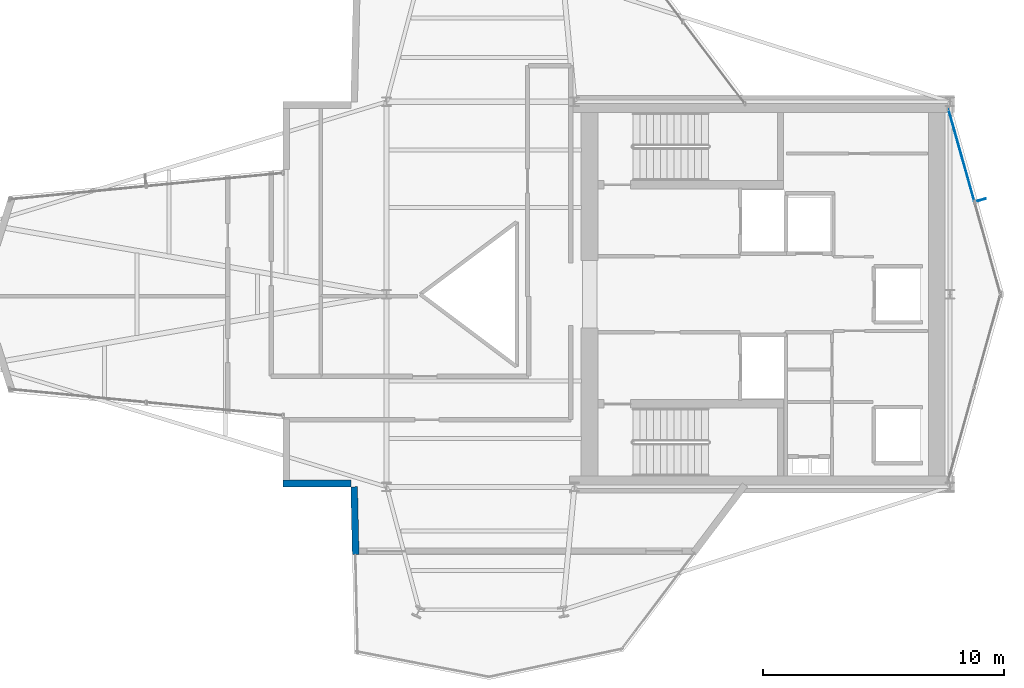
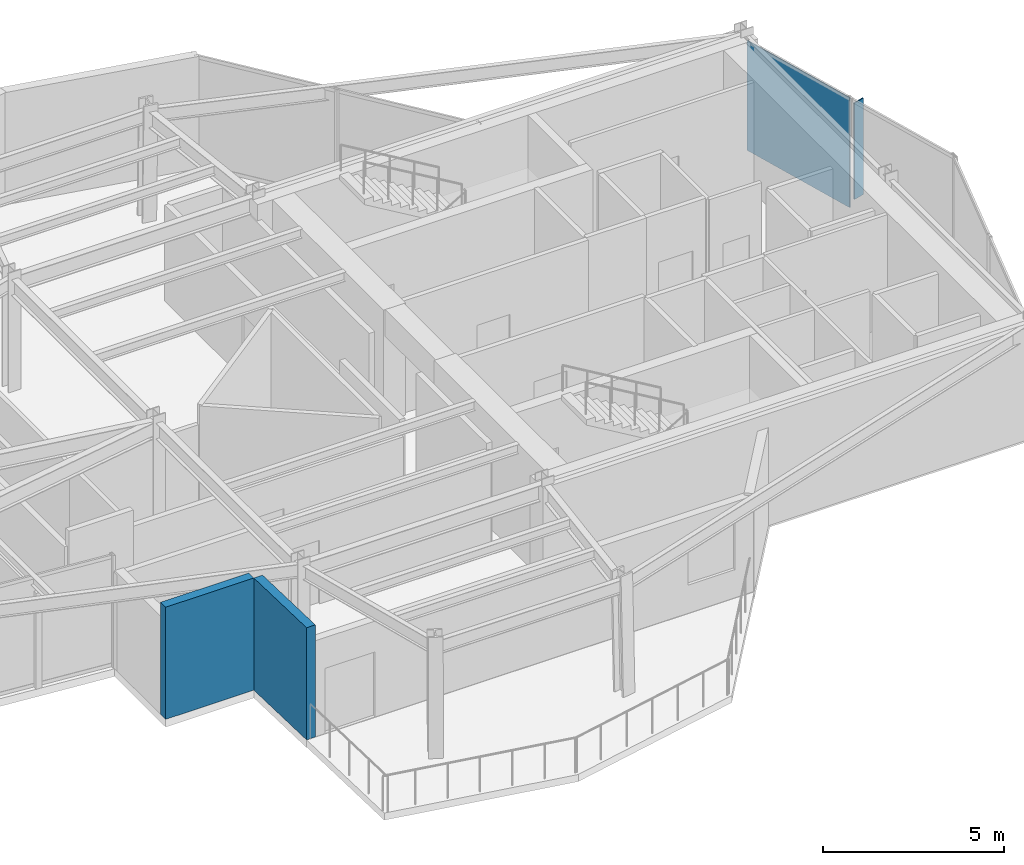
# One storey, part 17 of 21: 2 plates, 2 walls, 1 element without a shape of its own.
"""IFC4 building model written with IfcOpenShell, lengths in metres."""

import ifcopenshell
import ifcopenshell.guid

model = None  # the IFC model being written
_history = None  # IfcOwnerHistory: only IFC2X3 demands one
_inside = {}  # id of a spatial element -> (the spatial element, [elements in it])
_under = {}  # id of a project, library or spatial element -> (it, [spatial elements below it])
_declared = {}  # id of a project -> (the project, [libraries it declares])
_typed = {}  # id of a type object -> (the type object, [elements of that type])
_made_of = {}  # id of a material, layer set ... -> (it, [elements and type objects made of it])


def new_model(schema):
    """Start an empty IFC model of exactly this schema.

    Asked for "IFC4X3", IfcOpenShell would pick the latest addendum, in which some entities
    have other attributes; the version numbers below select the first issue.
    IFC2X3 requires an IfcOwnerHistory on every rooted entity: one is made here for all.
    """
    global model, _history
    if schema == "IFC4X3":
        model = ifcopenshell.file(schema_version=(4, 3, 0, 0))
    else:
        model = ifcopenshell.file(schema=schema)
    _inside.clear()
    _under.clear()
    _declared.clear()
    _typed.clear()
    _made_of.clear()
    _history = None
    if model.schema == "IFC2X3":
        org = make("IfcOrganization", Name="unknown")
        user = make(
            "IfcPersonAndOrganization",
            ThePerson=make("IfcPerson", FamilyName="unknown"),
            TheOrganization=org,
        )
        app = make(
            "IfcApplication",
            ApplicationDeveloper=org,
            Version="unknown",
            ApplicationFullName="unknown",
            ApplicationIdentifier="unknown",
        )
        _history = make(
            "IfcOwnerHistory",
            OwningUser=user,
            OwningApplication=app,
            ChangeAction="ADDED",
            CreationDate=0,
        )
    return model


def make(cls, **values):
    """One entity of the class cls with the attributes given. An attribute that is None is left unset."""
    return model.create_entity(
        cls, **{name: value for name, value in values.items() if value is not None}
    )


def rooted(cls, **values):
    """An entity with a GlobalId (a new one), such as an element, a storey or a relation."""
    return make(cls, GlobalId=ifcopenshell.guid.new(), OwnerHistory=_history, **values)


def si_unit(unit_type, name, prefix=None):
    """IfcSIUnit, for example si_unit("LENGTHUNIT", "METRE", prefix="MILLI")."""
    return make("IfcSIUnit", UnitType=unit_type, Prefix=prefix, Name=name)


def assignment(units):
    """IfcUnitAssignment: the units of a project."""
    return None if units is None else make("IfcUnitAssignment", Units=units)


def point(xyz):
    """IfcCartesianPoint."""
    return None if xyz is None else make("IfcCartesianPoint", Coordinates=xyz)


def direction(xyz):
    """IfcDirection."""
    return None if xyz is None else make("IfcDirection", DirectionRatios=xyz)


def frame(location, z_axis=None, x_axis=None):
    """IfcAxis2Placement3D, a coordinate frame: its origin and axes. An axis left out is left unset."""
    return make(
        "IfcAxis2Placement3D",
        Location=point(location),
        Axis=direction(z_axis),
        RefDirection=direction(x_axis),
    )


def frame_2d(location, x_axis=None):
    """IfcAxis2Placement2D, a coordinate frame in the plane: its origin and x axis."""
    return make(
        "IfcAxis2Placement2D", Location=point(location), RefDirection=direction(x_axis)
    )


def origin():
    """The frame at (0, 0, 0) with its axes left unset."""
    return frame((0.0, 0.0, 0.0))


def origin_2d():
    """The frame at (0, 0) in the plane with its x axis left unset."""
    return frame_2d((0.0, 0.0))


def place(relative_to, where):
    """IfcLocalPlacement: puts the frame where relative to a parent placement (None: the world)."""
    return make(
        "IfcLocalPlacement", PlacementRelTo=relative_to, RelativePlacement=where
    )


def context(
    kind, dimensions, precision=None, world=None, true_north=None, identifier=None
):
    """IfcGeometricRepresentationContext, for example the 3D "Model" context."""
    return make(
        "IfcGeometricRepresentationContext",
        ContextIdentifier=identifier,
        ContextType=kind,
        CoordinateSpaceDimension=dimensions,
        Precision=precision,
        WorldCoordinateSystem=world,
        TrueNorth=true_north,
    )


def subcontext(parent, identifier, kind, view, scale=None):
    """IfcGeometricRepresentationSubContext, for example "Body" below "Model"."""
    return make(
        "IfcGeometricRepresentationSubContext",
        ContextIdentifier=identifier,
        ContextType=kind,
        ParentContext=parent,
        TargetScale=scale,
        TargetView=view,
    )


def project(units=None, contexts=None):
    """IfcProject with its units and contexts."""
    return rooted(
        "IfcProject",
        Name="project",
        RepresentationContexts=contexts,
        UnitsInContext=assignment(units),
    )


def spatial(cls, under=None, at=None, **own):
    """A site, building, storey or space (cls), placed at a placement, below another one or the project."""
    s = rooted(cls, ObjectPlacement=at, **own)
    if under is not None:
        _under.setdefault(under.id(), (under, []))[1].append(s)
    return s


def profile(cls, at=None, kind="AREA", **sizes):
    """A parametric profile (cls). Its sizes go by their IFC names, for example OverallWidth=200.0."""
    return make(cls, ProfileType=kind, Position=at, **sizes)


def rectangle(**sizes):
    """IfcRectangleProfileDef."""
    return profile("IfcRectangleProfileDef", **sizes)


def extrude(swept, where, along, depth):
    """IfcExtrudedAreaSolid: the profile swept, set in the frame where, extruded along a direction by depth."""
    return make(
        "IfcExtrudedAreaSolid",
        SweptArea=swept,
        Position=where,
        ExtrudedDirection=direction(along),
        Depth=depth,
    )


def shape(context_of_items, identifier, shape_type, items):
    """IfcShapeRepresentation: the items that make up one representation, for example the "Body"."""
    return make(
        "IfcShapeRepresentation",
        ContextOfItems=context_of_items,
        RepresentationIdentifier=identifier,
        RepresentationType=shape_type,
        Items=items,
    )


def material(Name=None, Category=None):
    """IfcMaterial."""
    return make("IfcMaterial", Name=Name, Category=Category)


def layer(
    of_material, thickness, ventilated=None, Name=None, Category=None, Priority=None
):
    """IfcMaterialLayer: one layer of a wall or slab, of a material (None: an air gap)."""
    return make(
        "IfcMaterialLayer",
        Material=of_material,
        LayerThickness=thickness,
        IsVentilated=ventilated,
        Name=Name,
        Category=Category,
        Priority=Priority,
    )


def layer_set(layers, Name=None):
    """IfcMaterialLayerSet."""
    return make("IfcMaterialLayerSet", MaterialLayers=layers, LayerSetName=Name)


def made_of(thing, what):
    """Note that an element or type object is made of a material, layer set ...; save() writes the relation."""
    if what is not None:
        _made_of.setdefault(what.id(), (what, []))[1].append(thing)
    return thing


def type_object(cls, material=None, **own):
    """A type object (cls), such as IfcWallType, which elements share."""
    return made_of(rooted(cls, **own), material)


def element(
    cls,
    number,
    at=None,
    inside=None,
    cuts=None,
    type_object=None,
    material=None,
    context=None,
    identifier="Body",
    shape_type=None,
    held_by="IfcProductDefinitionShape",
    body=None,
    shapes=None,
    **own,
):
    """One element of the class cls, such as IfcWall. Its Tag is "e" and its number.

    at: its placement. inside: the storey or other place that contains it. cuts: it is an
    opening in that element (IfcRelVoidsElement). A single representation is given by context,
    identifier, shape_type and body (its items); several are given by shapes. held_by: the class
    of the entity that holds the representations. save() writes the other relations.
    """
    e = rooted(cls, Tag="e%d" % number, ObjectPlacement=at, **own)
    if body is not None:
        shapes = [shape(context, identifier, shape_type, body)]
    if shapes is not None:
        e.Representation = make(held_by, Representations=shapes)
    if inside is not None:
        _inside.setdefault(inside.id(), (inside, []))[1].append(e)
    if cuts is not None:
        rooted(
            "IfcRelVoidsElement", RelatingBuildingElement=cuts, RelatedOpeningElement=e
        )
    if type_object is not None:
        _typed.setdefault(type_object.id(), (type_object, []))[1].append(e)
    return made_of(e, material)


def aggregate(whole, parts):
    """IfcRelAggregates: a whole, such as a stair, and the parts it consists of."""
    return rooted("IfcRelAggregates", RelatingObject=whole, RelatedObjects=parts)


def save(model, path):
    """Write the relations noted so far, then the file.

    IfcRelAggregates (storeys below a building ...), IfcRelContainedInSpatialStructure (elements
    in a storey), IfcRelDefinesByType, IfcRelAssociatesMaterial and IfcRelDeclares: one each for
    every whole, place, type object, material and project.
    """
    for whole, parts in _under.values():
        aggregate(whole, parts)
    for where, things in _inside.values():
        rooted(
            "IfcRelContainedInSpatialStructure",
            RelatedElements=things,
            RelatingStructure=where,
        )
    for kind, things in _typed.values():
        rooted("IfcRelDefinesByType", RelatedObjects=things, RelatingType=kind)
    for what, things in _made_of.values():
        rooted("IfcRelAssociatesMaterial", RelatedObjects=things, RelatingMaterial=what)
    for by, libraries in _declared.values():
        rooted("IfcRelDeclares", RelatingContext=by, RelatedDefinitions=libraries)
    model.write(path)


model = new_model("IFC4")

# Units and contexts
model_context = context("Model", 3, precision=1e-05, world=origin(), true_north=direction((0.0, 1.0)))
body_context = subcontext(model_context, "Body", "Model", "MODEL_VIEW")
ifc_project = project(units=[si_unit("LENGTHUNIT", "METRE"), si_unit("AREAUNIT", "SQUARE_METRE"), si_unit("VOLUMEUNIT", "CUBIC_METRE"), si_unit("PLANEANGLEUNIT", "RADIAN"), si_unit("MASSUNIT", "GRAM", prefix="KILO")], contexts=[model_context])

# Site, building, storey
site_placement = place(None, origin())
site = spatial("IfcSite", under=ifc_project, at=site_placement, CompositionType="ELEMENT")
building_placement = place(site_placement, origin())
building = spatial("IfcBuilding", under=site, at=building_placement, Name="Veymaron Broadcast Tower", CompositionType="ELEMENT")
storey_placement = place(building_placement, frame((0.0, 0.0, 240.449951171875)))
storey = spatial("IfcBuildingStorey", under=building, at=storey_placement, Name="L56", CompositionType="ELEMENT", Elevation=240.449951171875)

# Curtain wall, plate
ifc_material_1 = material(Name="Anodised aluminium AA 6063-T6 and laminated low-E dark glass", Category="aluminium")
ifc_layer_1 = layer(ifc_material_1, 0.179931640625)
ifc_layer_set_1 = layer_set([ifc_layer_1], Name="Anodised aluminium AA 6063-T6 and laminated low-E dark glass")
curtain_wall_type = type_object("IfcCurtainWallType", Name="CW-SYS-05", PredefinedType="NOTDEFINED", material=ifc_layer_set_1)
curtain_wall_placement = place(storey_placement, origin())
curtain_wall = element("IfcCurtainWall", 1, at=curtain_wall_placement, inside=storey, type_object=curtain_wall_type, Name="L56 dark-glass curtain wall CW-L56-E5-1", PredefinedType="NOTDEFINED")
ifc_material_2 = material(Name="Double-silver solar-control dark glass IGU 32 mm", Category="glass")
ifc_layer_2 = layer(ifc_material_2, 0.031982421875)
ifc_layer_set_2 = layer_set([ifc_layer_2], Name="Double-silver solar-control dark glass IGU 32 mm")
plate_type_1 = type_object("IfcPlateType", Name="CW-PNL-02", PredefinedType="CURTAIN_PANEL", material=ifc_layer_set_2)
plate_1_placement = place(storey_placement, frame((55.077880859375, 29.7802734375, 0.0400390625), z_axis=(0.0, 0.0, 1.0), x_axis=(-0.270415617443, 0.962743680241, 0.0)))
plate_1 = element("IfcPlate", 2, at=plate_1_placement, type_object=plate_type_1, Name="CW-L56-E5-1 unitised curtain panel 1", PredefinedType="CURTAIN_PANEL", context=body_context, shape_type="SweptSolid", body=[
    extrude(rectangle(XDim=3.968994140625, YDim=0.031982421875, at=origin_2d()), origin(), (0.0, 0.0, 1.0), 3.7099609375),
])
aggregate(curtain_wall, [plate_1])

# Plate
ifc_material_3 = material(Name="Dark-anodised aluminium AA 6061-T6", Category="aluminium")
ifc_layer_3 = layer(ifc_material_3, 0.030029296875)
ifc_layer_set_3 = layer_set([ifc_layer_3], Name="Dark-anodised aluminium AA 6061-T6")
plate_type_2 = type_object("IfcPlateType", Name="FIN-CHEV-02", PredefinedType="USERDEFINED", material=ifc_layer_set_3)
plate_2_placement = place(storey_placement, frame((55.916259765625, 27.92333984375, 0.26513671875), z_axis=(0.0, 0.0, 1.0), x_axis=(0.962743680241, 0.270415617443, 0.0)))
element("IfcPlate", 3, at=plate_2_placement, inside=storey, type_object=plate_type_2, Name="CW-L56-E5-1 chevron fin 1", ObjectType="FIN", PredefinedType="USERDEFINED", context=body_context, shape_type="SweptSolid", body=[
    extrude(rectangle(XDim=0.35009765625, YDim=0.034912109375, at=origin_2d()), origin(), (0.0, 0.0, 1.0), 3.259521484375),
])

# Walls
ifc_material_4 = material(Name="Precast concrete C40/50", Category="concrete")
ifc_layer_4 = layer(ifc_material_4, 0.280029296875)
ifc_layer_set_4 = layer_set([ifc_layer_4], Name="Precast concrete C40/50")
wall_type = type_object("IfcWallType", Name="WALL-EXT-280", PredefinedType="STANDARD", material=ifc_layer_set_4)
wall_1_placement = place(storey_placement, frame((26.887939453125, 16.139892578125, 0.0), z_axis=(0.0, 0.0, 1.0), x_axis=(1.0, 0.0, 0.0)))
element("IfcWall", 4, at=wall_1_placement, inside=storey, type_object=wall_type, Name="L56 notched corner facade pier 18-1", PredefinedType="STANDARD", context=body_context, shape_type="SweptSolid", body=[
    extrude(rectangle(XDim=2.818603515625, YDim=0.280029296875, at=frame_2d((1.4091796875, 0.0))), origin(), (0.0, 0.0, 1.0), 3.7900390625),
])
wall_2_placement = place(storey_placement, frame((29.846435546875, 16.003173828125, 0.0), z_axis=(0.0, 0.0, 1.0), x_axis=(0.023182928698, -0.999731239792, 0.0)))
element("IfcWall", 5, at=wall_2_placement, inside=storey, type_object=wall_type, Name="L56 notched corner facade pier 19-1", PredefinedType="STANDARD", context=body_context, shape_type="SweptSolid", body=[
    extrude(rectangle(XDim=2.811767578125, YDim=0.280029296875, at=frame_2d((1.40576171875, 0.0))), origin(), (0.0, 0.0, 1.0), 3.7900390625),
])

save(model, "model.ifc")
